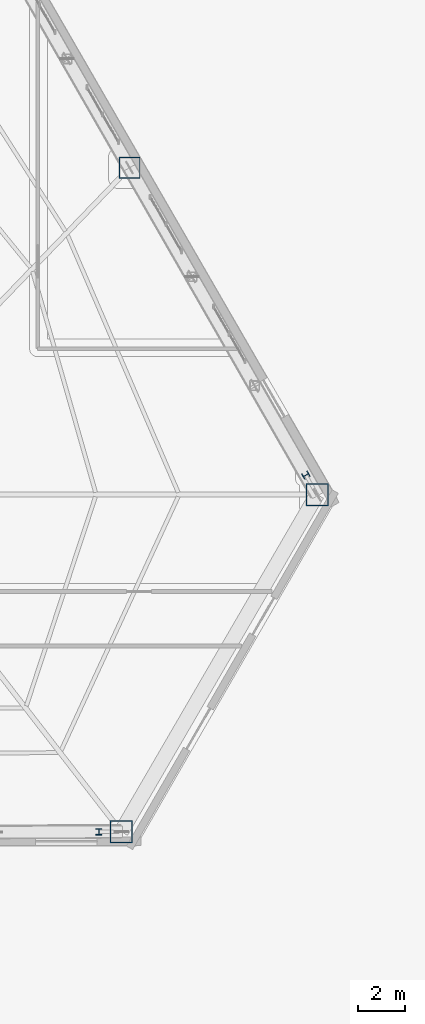
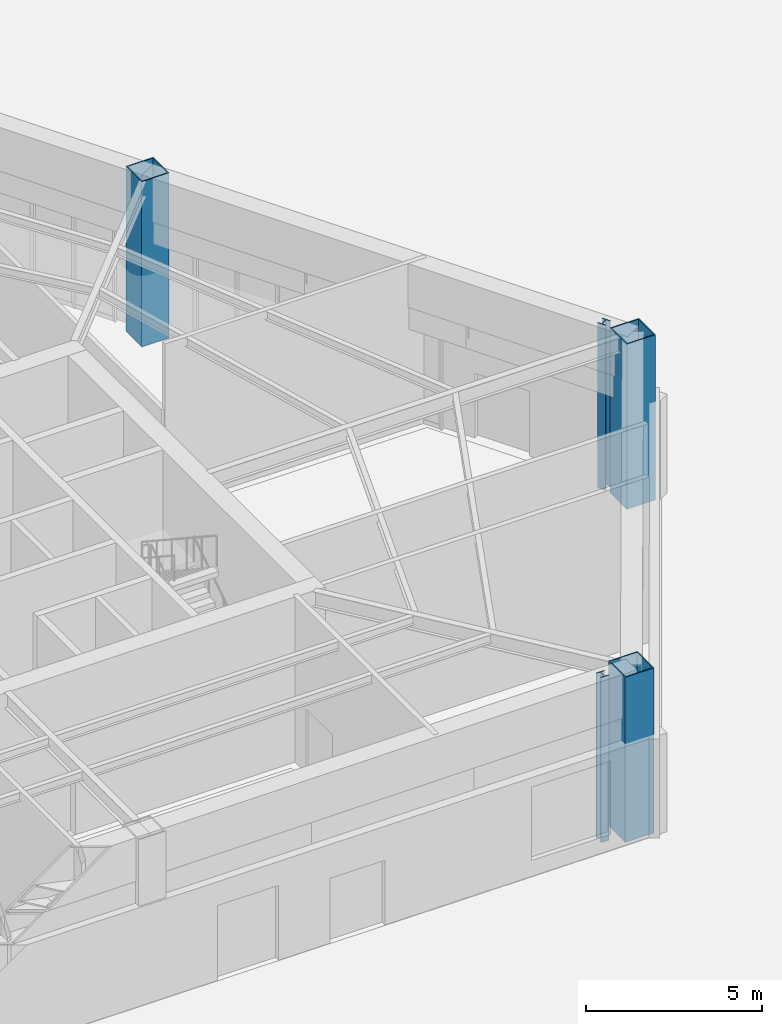
# One storey, part 2 of 20: 5 columns.
"""IFC4 building model written with IfcOpenShell, lengths in metres."""

from ifc_helpers import new_model, si_unit, direction, frame, origin, origin_2d, place, context, subcontext, project, spatial, hollow_rectangle, i_section, extrude, material, material_profile, profile_set, type_object, element, save


model = new_model("IFC4")

# Units and contexts
model_context = context("Model", 3, precision=1e-05, world=origin(), true_north=direction((0.0, 1.0)))
body_context = subcontext(model_context, "Body", "Model", "MODEL_VIEW")
ifc_project = project(units=[si_unit("LENGTHUNIT", "METRE"), si_unit("AREAUNIT", "SQUARE_METRE"), si_unit("VOLUMEUNIT", "CUBIC_METRE"), si_unit("PLANEANGLEUNIT", "RADIAN"), si_unit("MASSUNIT", "GRAM", prefix="KILO")], contexts=[model_context])

# Site, building, storey
site_placement = place(None, origin())
site = spatial("IfcSite", under=ifc_project, at=site_placement, CompositionType="ELEMENT")
building_placement = place(site_placement, origin())
building = spatial("IfcBuilding", under=site, at=building_placement, Name="Kavelnor Concourse Tower", CompositionType="ELEMENT")
storey_placement = place(building_placement, origin())
storey = spatial("IfcBuildingStorey", under=building, at=storey_placement, Name="L00", CompositionType="ELEMENT", Elevation=0.0)

# Columns
ifc_material = material(Name="Steel Grade 350", Category="steel")
ifc_material_profile_1 = material_profile(ifc_material, hollow_rectangle(XDim=0.89990234375, YDim=0.89990234375, WallThickness=0.0380859375, at=origin_2d()), Name="SHS 900x900x38")
ifc_profile_set_1 = profile_set([ifc_material_profile_1], Name="Steel Grade 350")
column_type_1 = type_object("IfcColumnType", Name="COL-MEGA-900", PredefinedType="COLUMN", material=ifc_profile_set_1)
column_placement = place(storey_placement, frame((54.097900390625, 29.475830078125, 0.0), z_axis=(0.0, 0.0, 1.0), x_axis=(1.0, 0.0, 0.0)))
element("IfcColumn", 1, at=column_placement, inside=storey, type_object=column_type_1, Name="L00 Perimeter Mega Column MC-F2", PredefinedType="COLUMN", context=body_context, shape_type="SweptSolid", body=[
    extrude(hollow_rectangle(XDim=0.89990234375, YDim=0.89990234375, WallThickness=0.0380859375, at=origin_2d()), origin(), (0.0, 0.0, 1.0), 5.739990234375),
])
ifc_material_profile_2 = material_profile(ifc_material, hollow_rectangle(XDim=0.949951171875, YDim=0.949951171875, WallThickness=0.0400390625, at=origin_2d()), Name="SHS 950x950x40")
ifc_profile_set_2 = profile_set([ifc_material_profile_2], Name="Steel Grade 350")
column_type_2 = type_object("IfcColumnType", Name="COL-MEGA-950", PredefinedType="COLUMN", material=ifc_profile_set_2)
for number, where, z_axis, x_axis, name in (
    (2, (53.74560546875, 1.317626953125, 0.0), (0.0, 0.0, 1.0), (1.0, 0.0, 0.0), "L00 Perimeter Mega Column MC-V4"),
    (3, (62.05078125, 15.61328125, 0.0), (0.0, 0.0, 1.0), (1.0, 0.0, 0.0), "L00 Perimeter Mega Column MC-V5"),
):
    element("IfcColumn", number, at=place(storey_placement, frame(where, z_axis=z_axis, x_axis=x_axis)), inside=storey, type_object=column_type_2, Name=name, PredefinedType="COLUMN", context=body_context, shape_type="SweptSolid", body=[
        extrude(hollow_rectangle(XDim=0.949951171875, YDim=0.949951171875, WallThickness=0.0400390625, at=origin_2d()), origin(), (0.0, 0.0, 1.0), 5.739990234375),
    ])
ifc_material_profile_3 = material_profile(ifc_material, i_section(OverallWidth=0.260986328125, OverallDepth=0.27587890625, WebThickness=0.015380859375, FlangeThickness=0.025390625, at=origin_2d()), Name="UC 254x254x132")
ifc_profile_set_3 = profile_set([ifc_material_profile_3], Name="Steel Grade 350")
column_type_3 = type_object("IfcColumnType", Name="COL-PILASTER-250", PredefinedType="PILASTER", material=ifc_profile_set_3)
for number, where, z_axis, x_axis, name in (
    (4, (52.79541015625, 1.3125, 0.0), (0.0, 0.0, 1.0), (0.999985363169, 0.005410494284, 0.0), "L00 Brick Pier Stiffener Pilaster F1-B"),
    (5, (61.578125, 16.437255859375, 0.0), (0.0, 0.0, 1.0), (-0.497579654441, 0.867418288651, 0.0), "L00 Brick Pier Stiffener Pilaster F2-A"),
):
    element("IfcColumn", number, at=place(storey_placement, frame(where, z_axis=z_axis, x_axis=x_axis)), inside=storey, type_object=column_type_3, Name=name, PredefinedType="PILASTER", context=body_context, shape_type="SweptSolid", body=[
        extrude(i_section(OverallWidth=0.260986328125, OverallDepth=0.27587890625, WebThickness=0.015380859375, FlangeThickness=0.025390625, at=origin_2d()), origin(), (0.0, 0.0, 1.0), 5.739990234375),
    ])

save(model, "model.ifc")
